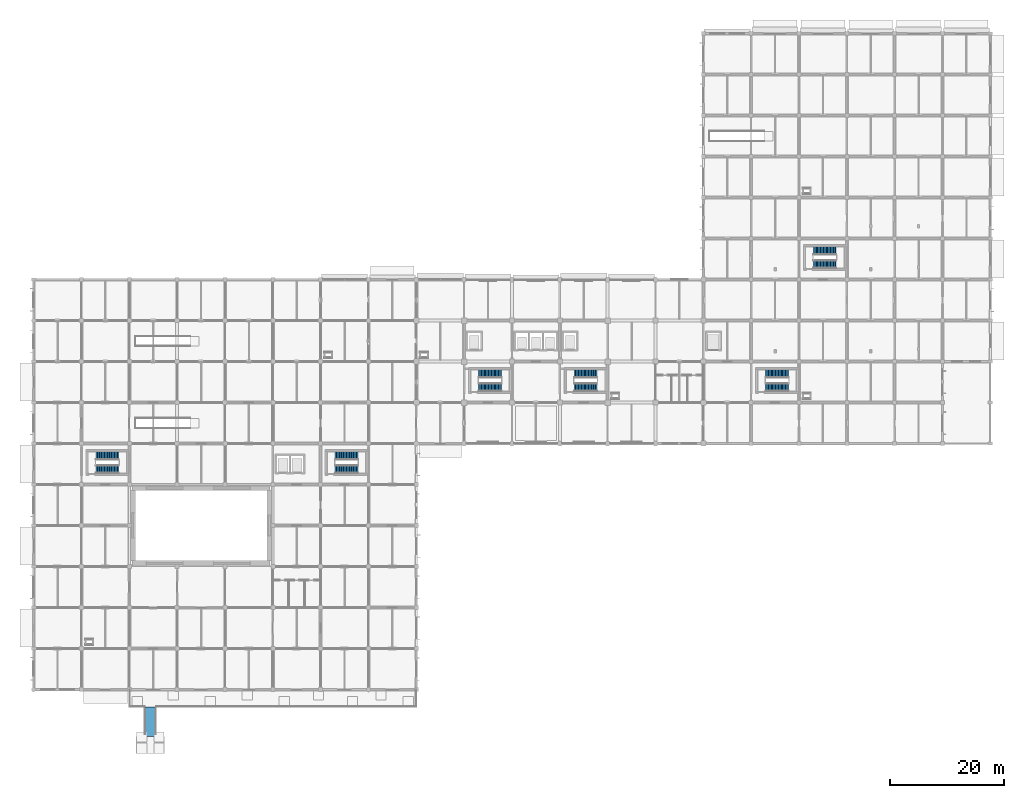
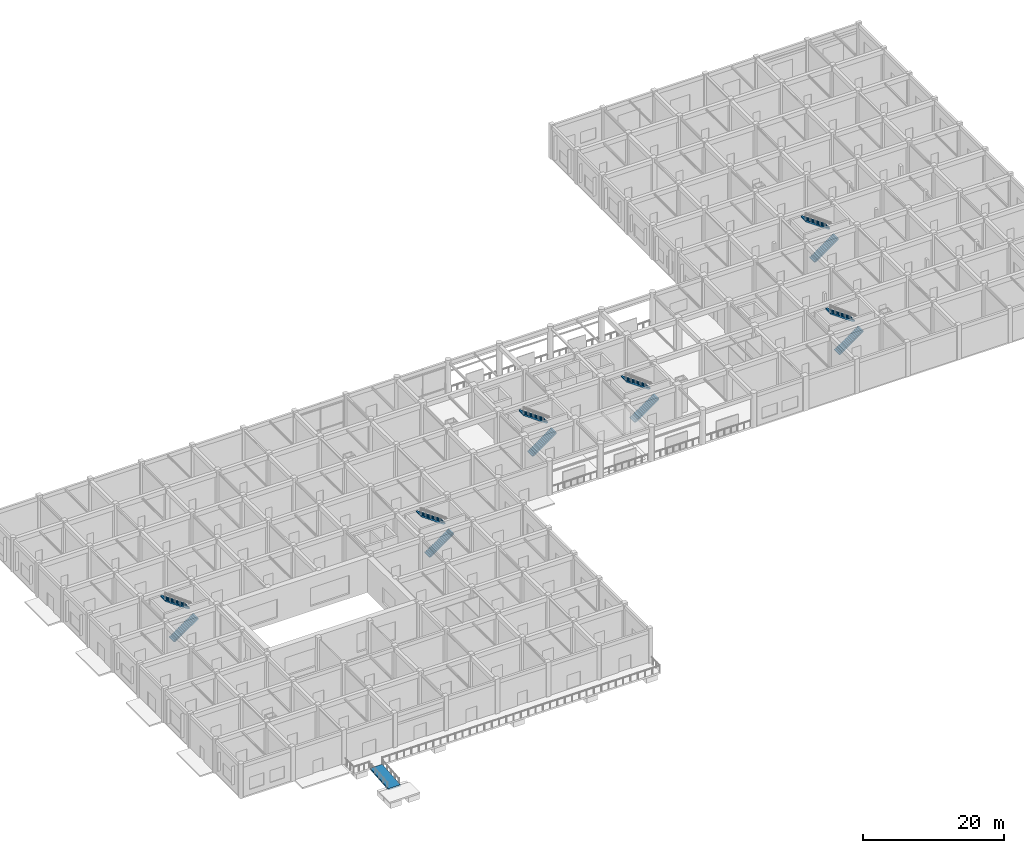
# One storey, part 28 of 39: 12 stair flights, 1 ramp flight, 7 elements without a shape of their own.
"""IFC4 building model written with IfcOpenShell, lengths in metres."""

from ifc_helpers import new_model, si_unit, derived_unit, direction, frame, origin, place, context, subcontext, project, spatial, polyline, outline, extrude, material, layer, layer_set, type_object, element, aggregate, save


model = new_model("IFC4")

# Units and contexts
model_context = context("Model", 3, precision=1e-05, world=origin(), true_north=direction((0.0, 1.0)))
body_context = subcontext(model_context, "Body", "Model", "MODEL_VIEW")
ifc_project = project(units=[si_unit("LENGTHUNIT", "METRE"), si_unit("AREAUNIT", "SQUARE_METRE"), si_unit("VOLUMEUNIT", "CUBIC_METRE"), si_unit("PLANEANGLEUNIT", "RADIAN"), si_unit("MASSUNIT", "GRAM", prefix="KILO"), derived_unit("THERMALTRANSMITTANCEUNIT", [(si_unit("MASSUNIT", "GRAM", prefix="KILO"), 1), (si_unit("TIMEUNIT", "SECOND"), -3), (si_unit("THERMODYNAMICTEMPERATUREUNIT", "KELVIN"), -1)])], contexts=[model_context])

# Site, building, storey
site_placement = place(None, origin())
site = spatial("IfcSite", under=ifc_project, at=site_placement, CompositionType="ELEMENT")
building_placement = place(site_placement, origin())
building = spatial("IfcBuilding", under=site, at=building_placement, Name="Veldstrom Oceanarium and Marine Research Institute", CompositionType="ELEMENT")
storey_placement = place(building_placement, origin())
storey = spatial("IfcBuildingStorey", under=building, at=storey_placement, Name="L00", CompositionType="ELEMENT", Elevation=0.0)

# Stair, stair flights
ifc_material_1 = material(Name="Concrete C40/50", Category="concrete")
stair_type = type_object("IfcStairType", Name="ARC-STR-ST-600", PredefinedType="TWO_STRAIGHT_RUN_STAIR", material=ifc_material_1)
stair_1_placement = place(storey_placement, origin())
stair_1 = element("IfcStair", 1, at=stair_1_placement, inside=storey, type_object=stair_type, Name="Dog-Leg Escape Stair ST1-L00", PredefinedType="TWO_STRAIGHT_RUN_STAIR")
ifc_material_2 = material(Name="Concrete C40/50", Category="concrete")
stair_flight_type = type_object("IfcStairFlightType", Name="ARC-STF-ST-600", PredefinedType="STRAIGHT", material=ifc_material_2)
stair_flight_1_placement = place(storey_placement, frame((78.139892578125, 53.10009765625, 0.0), z_axis=(0.0, 0.0, 1.0), x_axis=(1.0, 0.0, 0.0)))
stair_flight_1 = element("IfcStairFlight", 2, at=stair_flight_1_placement, type_object=stair_flight_type, Name="Stair Flight ST1-L00-1", NumberOfRisers=17, NumberOfTreads=16, PredefinedType="STRAIGHT", RiserHeight=0.176471, TreadLength=0.25, context=body_context, shape_type="SweptSolid", body=[
    extrude(outline(polyline([(0.0, 0.0), (0.0, 0.176513671875), (0.25, 0.176513671875), (0.25, 0.35302734375), (0.5, 0.35302734375), (0.5, 0.529296875), (0.75, 0.529296875), (0.75, 0.705810546875), (1.0, 0.705810546875), (1.0, 0.88232421875), (1.25, 0.88232421875), (1.25, 1.058837890625), (1.5, 1.058837890625), (1.5, 1.2353515625), (1.75, 1.2353515625), (1.75, 1.411865234375), (2.0, 1.411865234375), (2.0, 1.588134765625), (2.25, 1.588134765625), (2.25, 1.7646484375), (2.5, 1.7646484375), (2.5, 1.941162109375), (2.75, 1.941162109375), (2.75, 2.11767578125), (3.0, 2.11767578125), (3.0, 2.294189453125), (3.25, 2.294189453125), (3.25, 2.470703125), (3.5, 2.470703125), (3.5, 2.64697265625), (3.75, 2.64697265625), (3.75, 2.823486328125), (4.0, 2.823486328125), (4.0, 3.0), (4.0, 2.603271484375), (0.31201171875, 0.0), (0.0, 0.0)])), frame((0.0, 0.699951171875, 0.0), z_axis=(0.0, -1.0, 0.0), x_axis=(1.0, 0.0, 0.0)), (0.0, 0.0, 1.0), 1.39990234375),
])
stair_flight_2_placement = place(storey_placement, frame((82.139892578125, 55.5, 3.0), z_axis=(0.0, 0.0, 1.0), x_axis=(-1.0, 0.0, 0.0)))
stair_flight_2 = element("IfcStairFlight", 3, at=stair_flight_2_placement, type_object=stair_flight_type, Name="Stair Flight ST1-L00-2", NumberOfRisers=17, NumberOfTreads=16, PredefinedType="STRAIGHT", RiserHeight=0.176471, TreadLength=0.25, context=body_context, shape_type="SweptSolid", body=[
    extrude(outline(polyline([(0.0, 0.0), (0.0, 0.176513671875), (0.25, 0.176513671875), (0.25, 0.35302734375), (0.5, 0.35302734375), (0.5, 0.529296875), (0.75, 0.529296875), (0.75, 0.705810546875), (1.0, 0.705810546875), (1.0, 0.88232421875), (1.25, 0.88232421875), (1.25, 1.058837890625), (1.5, 1.058837890625), (1.5, 1.2353515625), (1.75, 1.2353515625), (1.75, 1.411865234375), (2.0, 1.411865234375), (2.0, 1.588134765625), (2.25, 1.588134765625), (2.25, 1.7646484375), (2.5, 1.7646484375), (2.5, 1.941162109375), (2.75, 1.941162109375), (2.75, 2.11767578125), (3.0, 2.11767578125), (3.0, 2.294189453125), (3.25, 2.294189453125), (3.25, 2.470703125), (3.5, 2.470703125), (3.5, 2.64697265625), (3.75, 2.64697265625), (3.75, 2.823486328125), (4.0, 2.823486328125), (4.0, 3.0), (4.0, 2.603271484375), (0.31201171875, 0.0), (0.0, 0.0)])), frame((0.0, 0.699951171875, 0.0), z_axis=(0.0, -1.0, 0.0), x_axis=(1.0, 0.0, 0.0)), (0.0, 0.0, 1.0), 1.39990234375),
])
aggregate(stair_1, [stair_flight_1, stair_flight_2])

stair_2_placement = place(storey_placement, origin())
stair_2 = element("IfcStair", 4, at=stair_2_placement, inside=storey, type_object=stair_type, Name="Dog-Leg Escape Stair ST2-L00", PredefinedType="TWO_STRAIGHT_RUN_STAIR")
stair_flight_3_placement = place(storey_placement, frame((94.93994140625, 53.10009765625, 0.0), z_axis=(0.0, 0.0, 1.0), x_axis=(1.0, 0.0, 0.0)))
stair_flight_3 = element("IfcStairFlight", 5, at=stair_flight_3_placement, type_object=stair_flight_type, Name="Stair Flight ST2-L00-1", NumberOfRisers=17, NumberOfTreads=16, PredefinedType="STRAIGHT", RiserHeight=0.176471, TreadLength=0.25, context=body_context, shape_type="SweptSolid", body=[
    extrude(outline(polyline([(0.0, 0.0), (0.0, 0.176513671875), (0.25, 0.176513671875), (0.25, 0.35302734375), (0.5, 0.35302734375), (0.5, 0.529296875), (0.75, 0.529296875), (0.75, 0.705810546875), (1.0, 0.705810546875), (1.0, 0.88232421875), (1.25, 0.88232421875), (1.25, 1.058837890625), (1.5, 1.058837890625), (1.5, 1.2353515625), (1.75, 1.2353515625), (1.75, 1.411865234375), (2.0, 1.411865234375), (2.0, 1.588134765625), (2.25, 1.588134765625), (2.25, 1.7646484375), (2.5, 1.7646484375), (2.5, 1.941162109375), (2.75, 1.941162109375), (2.75, 2.11767578125), (3.0, 2.11767578125), (3.0, 2.294189453125), (3.25, 2.294189453125), (3.25, 2.470703125), (3.5, 2.470703125), (3.5, 2.64697265625), (3.75, 2.64697265625), (3.75, 2.823486328125), (4.0, 2.823486328125), (4.0, 3.0), (4.0, 2.603271484375), (0.31201171875, 0.0), (0.0, 0.0)])), frame((0.0, 0.699951171875, 0.0), z_axis=(0.0, -1.0, 0.0), x_axis=(1.0, 0.0, 0.0)), (0.0, 0.0, 1.0), 1.39990234375),
])
stair_flight_4_placement = place(storey_placement, frame((98.93994140625, 55.5, 3.0), z_axis=(0.0, 0.0, 1.0), x_axis=(-1.0, 0.0, 0.0)))
stair_flight_4 = element("IfcStairFlight", 6, at=stair_flight_4_placement, type_object=stair_flight_type, Name="Stair Flight ST2-L00-2", NumberOfRisers=17, NumberOfTreads=16, PredefinedType="STRAIGHT", RiserHeight=0.176471, TreadLength=0.25, context=body_context, shape_type="SweptSolid", body=[
    extrude(outline(polyline([(0.0, 0.0), (0.0, 0.176513671875), (0.25, 0.176513671875), (0.25, 0.35302734375), (0.5, 0.35302734375), (0.5, 0.529296875), (0.75, 0.529296875), (0.75, 0.705810546875), (1.0, 0.705810546875), (1.0, 0.88232421875), (1.25, 0.88232421875), (1.25, 1.058837890625), (1.5, 1.058837890625), (1.5, 1.2353515625), (1.75, 1.2353515625), (1.75, 1.411865234375), (2.0, 1.411865234375), (2.0, 1.588134765625), (2.25, 1.588134765625), (2.25, 1.7646484375), (2.5, 1.7646484375), (2.5, 1.941162109375), (2.75, 1.941162109375), (2.75, 2.11767578125), (3.0, 2.11767578125), (3.0, 2.294189453125), (3.25, 2.294189453125), (3.25, 2.470703125), (3.5, 2.470703125), (3.5, 2.64697265625), (3.75, 2.64697265625), (3.75, 2.823486328125), (4.0, 2.823486328125), (4.0, 3.0), (4.0, 2.603271484375), (0.31201171875, 0.0), (0.0, 0.0)])), frame((0.0, 0.699951171875, 0.0), z_axis=(0.0, -1.0, 0.0), x_axis=(1.0, 0.0, 0.0)), (0.0, 0.0, 1.0), 1.39990234375),
])
aggregate(stair_2, [stair_flight_3, stair_flight_4])

stair_3_placement = place(storey_placement, origin())
stair_3 = element("IfcStair", 7, at=stair_3_placement, inside=storey, type_object=stair_type, Name="Dog-Leg Escape Stair ST3-L00", PredefinedType="TWO_STRAIGHT_RUN_STAIR")
stair_flight_5_placement = place(storey_placement, frame((10.93994140625, 38.699951171875, 0.0), z_axis=(0.0, 0.0, 1.0), x_axis=(1.0, 0.0, 0.0)))
stair_flight_5 = element("IfcStairFlight", 8, at=stair_flight_5_placement, type_object=stair_flight_type, Name="Stair Flight ST3-L00-1", NumberOfRisers=17, NumberOfTreads=16, PredefinedType="STRAIGHT", RiserHeight=0.176471, TreadLength=0.25, context=body_context, shape_type="SweptSolid", body=[
    extrude(outline(polyline([(0.0, 0.0), (0.0, 0.176513671875), (0.25, 0.176513671875), (0.25, 0.35302734375), (0.5, 0.35302734375), (0.5, 0.529296875), (0.75, 0.529296875), (0.75, 0.705810546875), (1.0, 0.705810546875), (1.0, 0.88232421875), (1.25, 0.88232421875), (1.25, 1.058837890625), (1.5, 1.058837890625), (1.5, 1.2353515625), (1.75, 1.2353515625), (1.75, 1.411865234375), (2.0, 1.411865234375), (2.0, 1.588134765625), (2.25, 1.588134765625), (2.25, 1.7646484375), (2.5, 1.7646484375), (2.5, 1.941162109375), (2.75, 1.941162109375), (2.75, 2.11767578125), (3.0, 2.11767578125), (3.0, 2.294189453125), (3.25, 2.294189453125), (3.25, 2.470703125), (3.5, 2.470703125), (3.5, 2.64697265625), (3.75, 2.64697265625), (3.75, 2.823486328125), (4.0, 2.823486328125), (4.0, 3.0), (4.0, 2.603271484375), (0.31201171875, 0.0), (0.0, 0.0)])), frame((0.0, 0.699951171875, 0.0), z_axis=(0.0, -1.0, 0.0), x_axis=(1.0, 0.0, 0.0)), (0.0, 0.0, 1.0), 1.39990234375),
])
stair_flight_6_placement = place(storey_placement, frame((14.93994140625, 41.10009765625, 3.0), z_axis=(0.0, 0.0, 1.0), x_axis=(-1.0, 0.0, 0.0)))
stair_flight_6 = element("IfcStairFlight", 9, at=stair_flight_6_placement, type_object=stair_flight_type, Name="Stair Flight ST3-L00-2", NumberOfRisers=17, NumberOfTreads=16, PredefinedType="STRAIGHT", RiserHeight=0.176471, TreadLength=0.25, context=body_context, shape_type="SweptSolid", body=[
    extrude(outline(polyline([(0.0, 0.0), (0.0, 0.176513671875), (0.25, 0.176513671875), (0.25, 0.35302734375), (0.5, 0.35302734375), (0.5, 0.529296875), (0.75, 0.529296875), (0.75, 0.705810546875), (1.0, 0.705810546875), (1.0, 0.88232421875), (1.25, 0.88232421875), (1.25, 1.058837890625), (1.5, 1.058837890625), (1.5, 1.2353515625), (1.75, 1.2353515625), (1.75, 1.411865234375), (2.0, 1.411865234375), (2.0, 1.588134765625), (2.25, 1.588134765625), (2.25, 1.7646484375), (2.5, 1.7646484375), (2.5, 1.941162109375), (2.75, 1.941162109375), (2.75, 2.11767578125), (3.0, 2.11767578125), (3.0, 2.294189453125), (3.25, 2.294189453125), (3.25, 2.470703125), (3.5, 2.470703125), (3.5, 2.64697265625), (3.75, 2.64697265625), (3.75, 2.823486328125), (4.0, 2.823486328125), (4.0, 3.0), (4.0, 2.603271484375), (0.31201171875, 0.0), (0.0, 0.0)])), frame((0.0, 0.699951171875, 0.0), z_axis=(0.0, -1.0, 0.0), x_axis=(1.0, 0.0, 0.0)), (0.0, 0.0, 1.0), 1.39990234375),
])
aggregate(stair_3, [stair_flight_5, stair_flight_6])

stair_4_placement = place(storey_placement, origin())
stair_4 = element("IfcStair", 10, at=stair_4_placement, inside=storey, type_object=stair_type, Name="Dog-Leg Escape Stair ST4-L00", PredefinedType="TWO_STRAIGHT_RUN_STAIR")
stair_flight_7_placement = place(storey_placement, frame((128.5400390625, 53.10009765625, 0.0), z_axis=(0.0, 0.0, 1.0), x_axis=(1.0, 0.0, 0.0)))
stair_flight_7 = element("IfcStairFlight", 11, at=stair_flight_7_placement, type_object=stair_flight_type, Name="Stair Flight ST4-L00-1", NumberOfRisers=17, NumberOfTreads=16, PredefinedType="STRAIGHT", RiserHeight=0.176471, TreadLength=0.25, context=body_context, shape_type="SweptSolid", body=[
    extrude(outline(polyline([(0.0, 0.0), (0.0, 0.176513671875), (0.25, 0.176513671875), (0.25, 0.35302734375), (0.5, 0.35302734375), (0.5, 0.529296875), (0.75, 0.529296875), (0.75, 0.705810546875), (1.0, 0.705810546875), (1.0, 0.88232421875), (1.25, 0.88232421875), (1.25, 1.058837890625), (1.5, 1.058837890625), (1.5, 1.2353515625), (1.75, 1.2353515625), (1.75, 1.411865234375), (2.0, 1.411865234375), (2.0, 1.588134765625), (2.25, 1.588134765625), (2.25, 1.7646484375), (2.5, 1.7646484375), (2.5, 1.941162109375), (2.75, 1.941162109375), (2.75, 2.11767578125), (3.0, 2.11767578125), (3.0, 2.294189453125), (3.25, 2.294189453125), (3.25, 2.470703125), (3.5, 2.470703125), (3.5, 2.64697265625), (3.75, 2.64697265625), (3.75, 2.823486328125), (4.0, 2.823486328125), (4.0, 3.0), (4.0, 2.603271484375), (0.31201171875, 0.0), (0.0, 0.0)])), frame((0.0, 0.699951171875, 0.0), z_axis=(0.0, -1.0, 0.0), x_axis=(1.0, 0.0, 0.0)), (0.0, 0.0, 1.0), 1.39990234375),
])
stair_flight_8_placement = place(storey_placement, frame((132.5400390625, 55.5, 3.0), z_axis=(0.0, 0.0, 1.0), x_axis=(-1.0, 0.0, 0.0)))
stair_flight_8 = element("IfcStairFlight", 12, at=stair_flight_8_placement, type_object=stair_flight_type, Name="Stair Flight ST4-L00-2", NumberOfRisers=17, NumberOfTreads=16, PredefinedType="STRAIGHT", RiserHeight=0.176471, TreadLength=0.25, context=body_context, shape_type="SweptSolid", body=[
    extrude(outline(polyline([(0.0, 0.0), (0.0, 0.176513671875), (0.25, 0.176513671875), (0.25, 0.35302734375), (0.5, 0.35302734375), (0.5, 0.529296875), (0.75, 0.529296875), (0.75, 0.705810546875), (1.0, 0.705810546875), (1.0, 0.88232421875), (1.25, 0.88232421875), (1.25, 1.058837890625), (1.5, 1.058837890625), (1.5, 1.2353515625), (1.75, 1.2353515625), (1.75, 1.411865234375), (2.0, 1.411865234375), (2.0, 1.588134765625), (2.25, 1.588134765625), (2.25, 1.7646484375), (2.5, 1.7646484375), (2.5, 1.941162109375), (2.75, 1.941162109375), (2.75, 2.11767578125), (3.0, 2.11767578125), (3.0, 2.294189453125), (3.25, 2.294189453125), (3.25, 2.470703125), (3.5, 2.470703125), (3.5, 2.64697265625), (3.75, 2.64697265625), (3.75, 2.823486328125), (4.0, 2.823486328125), (4.0, 3.0), (4.0, 2.603271484375), (0.31201171875, 0.0), (0.0, 0.0)])), frame((0.0, 0.699951171875, 0.0), z_axis=(0.0, -1.0, 0.0), x_axis=(1.0, 0.0, 0.0)), (0.0, 0.0, 1.0), 1.39990234375),
])
aggregate(stair_4, [stair_flight_7, stair_flight_8])

stair_5_placement = place(storey_placement, origin())
stair_5 = element("IfcStair", 13, at=stair_5_placement, inside=storey, type_object=stair_type, Name="Dog-Leg Escape Stair ST6-L00", PredefinedType="TWO_STRAIGHT_RUN_STAIR")
stair_flight_9_placement = place(storey_placement, frame((52.93994140625, 38.699951171875, 0.0), z_axis=(0.0, 0.0, 1.0), x_axis=(1.0, 0.0, 0.0)))
stair_flight_9 = element("IfcStairFlight", 14, at=stair_flight_9_placement, type_object=stair_flight_type, Name="Stair Flight ST6-L00-1", NumberOfRisers=17, NumberOfTreads=16, PredefinedType="STRAIGHT", RiserHeight=0.176471, TreadLength=0.25, context=body_context, shape_type="SweptSolid", body=[
    extrude(outline(polyline([(0.0, 0.0), (0.0, 0.176513671875), (0.25, 0.176513671875), (0.25, 0.35302734375), (0.5, 0.35302734375), (0.5, 0.529296875), (0.75, 0.529296875), (0.75, 0.705810546875), (1.0, 0.705810546875), (1.0, 0.88232421875), (1.25, 0.88232421875), (1.25, 1.058837890625), (1.5, 1.058837890625), (1.5, 1.2353515625), (1.75, 1.2353515625), (1.75, 1.411865234375), (2.0, 1.411865234375), (2.0, 1.588134765625), (2.25, 1.588134765625), (2.25, 1.7646484375), (2.5, 1.7646484375), (2.5, 1.941162109375), (2.75, 1.941162109375), (2.75, 2.11767578125), (3.0, 2.11767578125), (3.0, 2.294189453125), (3.25, 2.294189453125), (3.25, 2.470703125), (3.5, 2.470703125), (3.5, 2.64697265625), (3.75, 2.64697265625), (3.75, 2.823486328125), (4.0, 2.823486328125), (4.0, 3.0), (4.0, 2.603271484375), (0.31201171875, 0.0), (0.0, 0.0)])), frame((0.0, 0.699951171875, 0.0), z_axis=(0.0, -1.0, 0.0), x_axis=(1.0, 0.0, 0.0)), (0.0, 0.0, 1.0), 1.39990234375),
])
stair_flight_10_placement = place(storey_placement, frame((56.93994140625, 41.10009765625, 3.0), z_axis=(0.0, 0.0, 1.0), x_axis=(-1.0, 0.0, 0.0)))
stair_flight_10 = element("IfcStairFlight", 15, at=stair_flight_10_placement, type_object=stair_flight_type, Name="Stair Flight ST6-L00-2", NumberOfRisers=17, NumberOfTreads=16, PredefinedType="STRAIGHT", RiserHeight=0.176471, TreadLength=0.25, context=body_context, shape_type="SweptSolid", body=[
    extrude(outline(polyline([(0.0, 0.0), (0.0, 0.176513671875), (0.25, 0.176513671875), (0.25, 0.35302734375), (0.5, 0.35302734375), (0.5, 0.529296875), (0.75, 0.529296875), (0.75, 0.705810546875), (1.0, 0.705810546875), (1.0, 0.88232421875), (1.25, 0.88232421875), (1.25, 1.058837890625), (1.5, 1.058837890625), (1.5, 1.2353515625), (1.75, 1.2353515625), (1.75, 1.411865234375), (2.0, 1.411865234375), (2.0, 1.588134765625), (2.25, 1.588134765625), (2.25, 1.7646484375), (2.5, 1.7646484375), (2.5, 1.941162109375), (2.75, 1.941162109375), (2.75, 2.11767578125), (3.0, 2.11767578125), (3.0, 2.294189453125), (3.25, 2.294189453125), (3.25, 2.470703125), (3.5, 2.470703125), (3.5, 2.64697265625), (3.75, 2.64697265625), (3.75, 2.823486328125), (4.0, 2.823486328125), (4.0, 3.0), (4.0, 2.603271484375), (0.31201171875, 0.0), (0.0, 0.0)])), frame((0.0, 0.699951171875, 0.0), z_axis=(0.0, -1.0, 0.0), x_axis=(1.0, 0.0, 0.0)), (0.0, 0.0, 1.0), 1.39990234375),
])
aggregate(stair_5, [stair_flight_9, stair_flight_10])

stair_6_placement = place(storey_placement, origin())
stair_6 = element("IfcStair", 16, at=stair_6_placement, inside=storey, type_object=stair_type, Name="Dog-Leg Escape Stair ST7-L00", PredefinedType="TWO_STRAIGHT_RUN_STAIR")
stair_flight_11_placement = place(storey_placement, frame((136.93994140625, 74.699951171875, 0.0), z_axis=(0.0, 0.0, 1.0), x_axis=(1.0, 0.0, 0.0)))
stair_flight_11 = element("IfcStairFlight", 17, at=stair_flight_11_placement, type_object=stair_flight_type, Name="Stair Flight ST7-L00-1", NumberOfRisers=17, NumberOfTreads=16, PredefinedType="STRAIGHT", RiserHeight=0.176471, TreadLength=0.25, context=body_context, shape_type="SweptSolid", body=[
    extrude(outline(polyline([(0.0, 0.0), (0.0, 0.176513671875), (0.25, 0.176513671875), (0.25, 0.35302734375), (0.5, 0.35302734375), (0.5, 0.529296875), (0.75, 0.529296875), (0.75, 0.705810546875), (1.0, 0.705810546875), (1.0, 0.88232421875), (1.25, 0.88232421875), (1.25, 1.058837890625), (1.5, 1.058837890625), (1.5, 1.2353515625), (1.75, 1.2353515625), (1.75, 1.411865234375), (2.0, 1.411865234375), (2.0, 1.588134765625), (2.25, 1.588134765625), (2.25, 1.7646484375), (2.5, 1.7646484375), (2.5, 1.941162109375), (2.75, 1.941162109375), (2.75, 2.11767578125), (3.0, 2.11767578125), (3.0, 2.294189453125), (3.25, 2.294189453125), (3.25, 2.470703125), (3.5, 2.470703125), (3.5, 2.64697265625), (3.75, 2.64697265625), (3.75, 2.823486328125), (4.0, 2.823486328125), (4.0, 3.0), (4.0, 2.603271484375), (0.31201171875, 0.0), (0.0, 0.0)])), frame((0.0, 0.699951171875, 0.0), z_axis=(0.0, -1.0, 0.0), x_axis=(1.0, 0.0, 0.0)), (0.0, 0.0, 1.0), 1.39990234375),
])
stair_flight_12_placement = place(storey_placement, frame((140.93994140625, 77.10009765625, 3.0), z_axis=(0.0, 0.0, 1.0), x_axis=(-1.0, 0.0, 0.0)))
stair_flight_12 = element("IfcStairFlight", 18, at=stair_flight_12_placement, type_object=stair_flight_type, Name="Stair Flight ST7-L00-2", NumberOfRisers=17, NumberOfTreads=16, PredefinedType="STRAIGHT", RiserHeight=0.176471, TreadLength=0.25, context=body_context, shape_type="SweptSolid", body=[
    extrude(outline(polyline([(0.0, 0.0), (0.0, 0.176513671875), (0.25, 0.176513671875), (0.25, 0.35302734375), (0.5, 0.35302734375), (0.5, 0.529296875), (0.75, 0.529296875), (0.75, 0.705810546875), (1.0, 0.705810546875), (1.0, 0.88232421875), (1.25, 0.88232421875), (1.25, 1.058837890625), (1.5, 1.058837890625), (1.5, 1.2353515625), (1.75, 1.2353515625), (1.75, 1.411865234375), (2.0, 1.411865234375), (2.0, 1.588134765625), (2.25, 1.588134765625), (2.25, 1.7646484375), (2.5, 1.7646484375), (2.5, 1.941162109375), (2.75, 1.941162109375), (2.75, 2.11767578125), (3.0, 2.11767578125), (3.0, 2.294189453125), (3.25, 2.294189453125), (3.25, 2.470703125), (3.5, 2.470703125), (3.5, 2.64697265625), (3.75, 2.64697265625), (3.75, 2.823486328125), (4.0, 2.823486328125), (4.0, 3.0), (4.0, 2.603271484375), (0.31201171875, 0.0), (0.0, 0.0)])), frame((0.0, 0.699951171875, 0.0), z_axis=(0.0, -1.0, 0.0), x_axis=(1.0, 0.0, 0.0)), (0.0, 0.0, 1.0), 1.39990234375),
])
aggregate(stair_6, [stair_flight_11, stair_flight_12])

# Ramp, ramp flight
ifc_material_3 = material(Name="Concrete C40/50", Category="concrete")
ramp_type = type_object("IfcRampType", Name="ARC-RMP-R01", PredefinedType="STRAIGHT_RUN_RAMP", material=ifc_material_3)
ramp_placement = place(storey_placement, origin())
ramp = element("IfcRamp", 19, at=ramp_placement, inside=storey, type_object=ramp_type, Name="Main Entrance Accessible Ramp R01", PredefinedType="STRAIGHT_RUN_RAMP")
ifc_material_4 = material(Name="Concrete C40/50", Category="concrete")
ifc_layer = layer(ifc_material_4, 0.25)
ifc_layer_set = layer_set([ifc_layer], Name="ARC-RMPF-RF1")
ramp_flight_type = type_object("IfcRampFlightType", Name="ARC-RMPF-RF1", PredefinedType="STRAIGHT", material=ifc_layer_set)
ramp_flight_placement = place(storey_placement, frame((20.5, -8.199951171875, -0.429931640625), z_axis=(0.0, 0.0, 1.0), x_axis=(0.0, 1.0, 0.0)))
ramp_flight = element("IfcRampFlight", 20, at=ramp_flight_placement, type_object=ramp_flight_type, Name="Main Entrance Accessible Ramp Flight RF01", PredefinedType="STRAIGHT", context=body_context, shape_type="SweptSolid", body=[
    extrude(outline(polyline([(0.0, 0.0), (0.0, -0.25), (5.199951171875, 0.179931640625), (5.199951171875, 0.429931640625), (0.0, 0.0)])), frame((0.0, 1.0, 0.0), z_axis=(0.0, -1.0, 0.0), x_axis=(1.0, 0.0, 0.0)), (0.0, 0.0, 1.0), 2.0),
])
aggregate(ramp, [ramp_flight])

save(model, "model.ifc")
